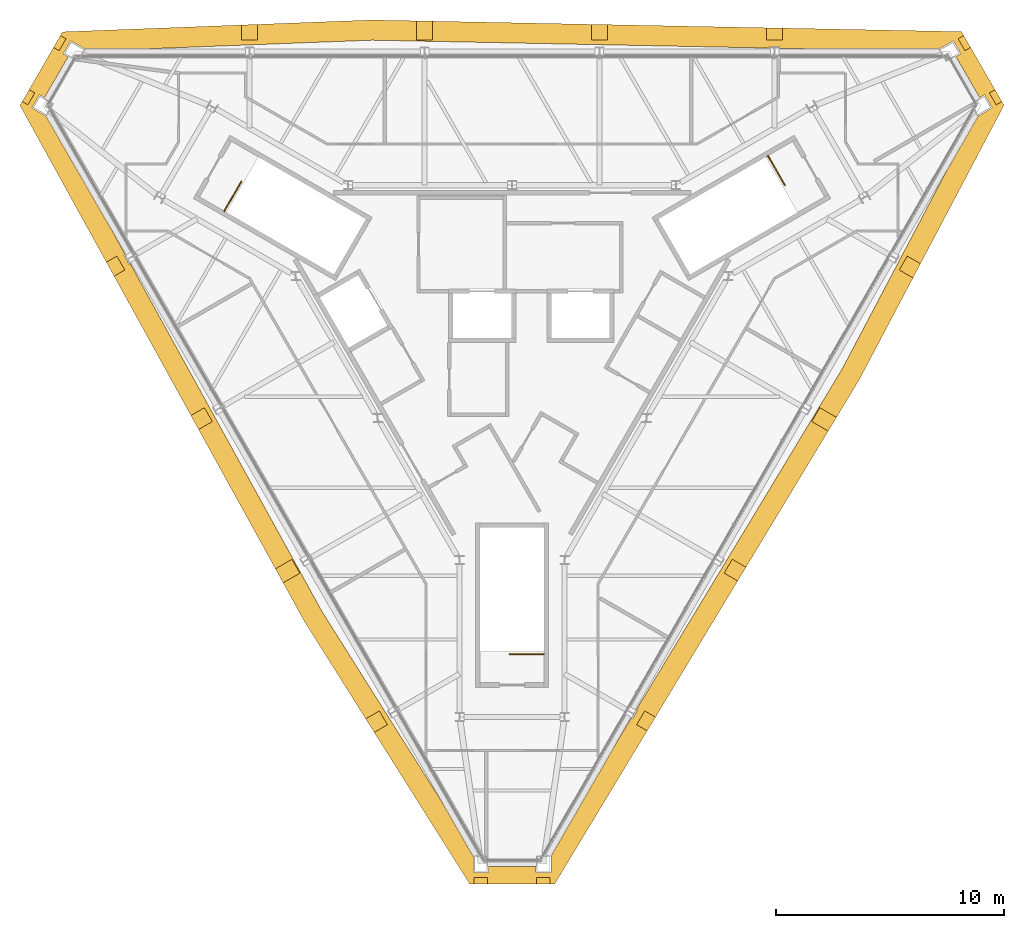
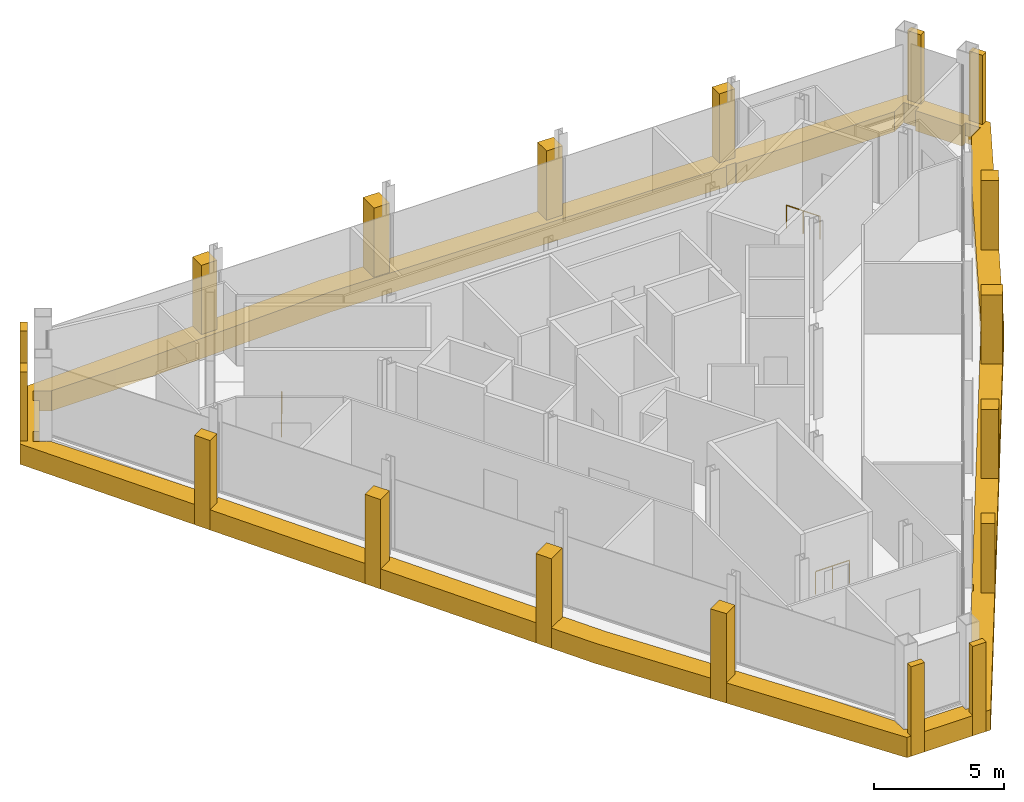
# One storey, part 11 of 11: 19 coverings, 3 railings.
"""IFC4 building model written with IfcOpenShell, lengths in metres."""

from ifc_helpers import new_model, si_unit, direction, frame, origin, origin_2d, place, context, subcontext, project, spatial, polyline, circle, outline, extrude, material, layer, layer_set, type_object, element, save


model = new_model("IFC4")

# Units and contexts
model_context = context("Model", 3, precision=1e-05, world=origin(), true_north=direction((0.0, 1.0)))
body_context = subcontext(model_context, "Body", "Model", "MODEL_VIEW")
ifc_project = project(units=[si_unit("LENGTHUNIT", "METRE"), si_unit("AREAUNIT", "SQUARE_METRE"), si_unit("VOLUMEUNIT", "CUBIC_METRE"), si_unit("PLANEANGLEUNIT", "RADIAN"), si_unit("MASSUNIT", "GRAM", prefix="KILO")], contexts=[model_context])

# Site, building, storey
site_placement = place(None, origin())
site = spatial("IfcSite", under=ifc_project, at=site_placement, CompositionType="ELEMENT")
building_placement = place(site_placement, origin())
building = spatial("IfcBuilding", under=site, at=building_placement, Name="Verrane Prism Tower", CompositionType="ELEMENT")
storey_placement = place(building_placement, frame((0.0, 0.0, 329.39990234375)))
storey = spatial("IfcBuildingStorey", under=building, at=storey_placement, Name="L83", CompositionType="ELEMENT", Elevation=329.39990234375)

# Railings
ifc_material_1 = material(Name="Steel A36 rail and posts, no infill", Category="steel")
railing_type = type_object("IfcRailingType", Name="Stair guard 1100 steel rail and posts", PredefinedType="GUARDRAIL", material=ifc_material_1)
railing_1_placement = place(storey_placement, frame((11.207763671875, 8.08740234375, 0.0)))
element("IfcRailing", 1, at=railing_1_placement, inside=storey, type_object=railing_type, Name="Stair 1 top floor guard", PredefinedType="GUARDRAIL", context=body_context, shape_type="SweptSolid", body=[
    extrude(circle(Radius=0.02392578125, at=origin_2d()), frame((0.0, 0.0, 1.076171875), z_axis=(0.499990139034, -0.866031096941, 0.0), x_axis=(0.866031096941, 0.499990139034, 0.0)), (0.0, 0.0, 1.0), 1.5),
    extrude(circle(Radius=0.02099609375, at=origin_2d()), origin(), (0.0, 0.0, 1.0), 1.052001953125),
    extrude(circle(Radius=0.02099609375, at=origin_2d()), frame((0.375, -0.6494140625, 0.0)), (0.0, 0.0, 1.0), 1.052001953125),
    extrude(circle(Radius=0.02099609375, at=origin_2d()), frame((0.75, -1.299072265625, 0.0)), (0.0, 0.0, 1.0), 1.052001953125),
])
railing_2_placement = place(storey_placement, frame((-12.60791015625, 5.66259765625, 0.0)))
element("IfcRailing", 2, at=railing_2_placement, inside=storey, type_object=railing_type, Name="Stair 2 top floor guard", PredefinedType="GUARDRAIL", context=body_context, shape_type="SweptSolid", body=[
    extrude(circle(Radius=0.02392578125, at=origin_2d()), frame((0.0, 0.0, 1.076171875), z_axis=(0.499990139034, 0.866031096941, 0.0), x_axis=(-0.866031096941, 0.499990139034, 0.0)), (0.0, 0.0, 1.0), 1.5),
    extrude(circle(Radius=0.02099609375, at=origin_2d()), origin(), (0.0, 0.0, 1.0), 1.052001953125),
    extrude(circle(Radius=0.02099609375, at=origin_2d()), frame((0.375, 0.6494140625, 0.0)), (0.0, 0.0, 1.0), 1.052001953125),
    extrude(circle(Radius=0.02099609375, at=origin_2d()), frame((0.75, 1.299072265625, 0.0)), (0.0, 0.0, 1.0), 1.052001953125),
])
railing_3_placement = place(storey_placement, frame((1.39990234375, -13.75, 0.0)))
element("IfcRailing", 3, at=railing_3_placement, inside=storey, type_object=railing_type, Name="Stair 3 top floor guard", PredefinedType="GUARDRAIL", context=body_context, shape_type="SweptSolid", body=[
    extrude(circle(Radius=0.02392578125, at=origin_2d()), frame((0.0, 0.0, 1.076171875), z_axis=(-1.0, 0.0, 0.0), x_axis=(0.0, -1.0, 0.0)), (0.0, 0.0, 1.0), 1.5),
    extrude(circle(Radius=0.02099609375, at=origin_2d()), origin(), (0.0, 0.0, 1.0), 1.052001953125),
    extrude(circle(Radius=0.02099609375, at=origin_2d()), frame((-0.75, 0.0, 0.0)), (0.0, 0.0, 1.0), 1.052001953125),
    extrude(circle(Radius=0.02099609375, at=origin_2d()), frame((-1.5, 0.0, 0.0)), (0.0, 0.0, 1.0), 1.052001953125),
])

# Coverings
ifc_material_2 = material(Name="Warm limestone cladding", Category="masonry")
covering_type_1 = type_object("IfcCoveringType", Name="Stone corner pier 600", PredefinedType="CLADDING", material=ifc_material_2)
covering_1_placement = place(storey_placement, frame((0.0, 0.0, -0.949951171875)))
element("IfcCovering", 4, at=covering_1_placement, inside=storey, type_object=covering_type_1, Name="Stone pier MC-NE.a L83", PredefinedType="CLADDING", context=body_context, shape_type="SweptSolid", body=[
    extrude(outline(polyline([(20.910888671875, 10.838623046875), (21.06103515625, 10.578857421875), (21.2109375, 10.319091796875), (21.457763671875, 10.46142578125), (21.15771484375, 10.98095703125), (20.910888671875, 10.838623046875)])), origin(), (0.0, 0.0, 1.0), 4.199951171875),
])
covering_2_placement = place(storey_placement, frame((0.0, 0.0, -0.949951171875)))
element("IfcCovering", 5, at=covering_2_placement, inside=storey, type_object=covering_type_1, Name="Stone pier MC-NE.b L83", PredefinedType="CLADDING", context=body_context, shape_type="SweptSolid", body=[
    extrude(outline(polyline([(19.5419921875, 13.209716796875), (19.5576171875, 13.182861328125), (19.842041015625, 12.690185546875), (20.088623046875, 12.83251953125), (19.788818359375, 13.352294921875), (19.5419921875, 13.209716796875)])), origin(), (0.0, 0.0, 1.0), 4.199951171875),
])
covering_3_placement = place(storey_placement, frame((0.0, 0.0, -0.949951171875)))
element("IfcCovering", 6, at=covering_3_placement, inside=storey, type_object=covering_type_1, Name="Stone pier MC-NW.a L83", PredefinedType="CLADDING", context=body_context, shape_type="SweptSolid", body=[
    extrude(outline(polyline([(-19.842041015625, 12.690185546875), (-19.5419921875, 13.209716796875), (-19.788818359375, 13.352294921875), (-20.088623046875, 12.83251953125), (-19.842041015625, 12.690185546875)])), origin(), (0.0, 0.0, 1.0), 4.199951171875),
])
covering_4_placement = place(storey_placement, frame((0.0, 0.0, -0.949951171875)))
element("IfcCovering", 7, at=covering_4_placement, inside=storey, type_object=covering_type_1, Name="Stone pier MC-NW.b L83", PredefinedType="CLADDING", context=body_context, shape_type="SweptSolid", body=[
    extrude(outline(polyline([(-21.2109375, 10.319091796875), (-20.910888671875, 10.838623046875), (-21.15771484375, 10.98095703125), (-21.457763671875, 10.46142578125), (-21.2109375, 10.319091796875)])), origin(), (0.0, 0.0, 1.0), 4.199951171875),
])
covering_5_placement = place(storey_placement, frame((0.0, 0.0, -0.949951171875)))
element("IfcCovering", 8, at=covering_5_placement, inside=storey, type_object=covering_type_1, Name="Stone pier MC-S.a L83", PredefinedType="CLADDING", context=body_context, shape_type="SweptSolid", body=[
    extrude(outline(polyline([(-1.069091796875, -23.52880859375), (-1.6689453125, -23.52880859375), (-1.6689453125, -23.813720703125), (-1.069091796875, -23.813720703125), (-1.069091796875, -23.52880859375)])), origin(), (0.0, 0.0, 1.0), 4.199951171875),
])
covering_6_placement = place(storey_placement, frame((0.0, 0.0, -0.949951171875)))
element("IfcCovering", 9, at=covering_6_placement, inside=storey, type_object=covering_type_1, Name="Stone pier MC-S.b L83", PredefinedType="CLADDING", context=body_context, shape_type="SweptSolid", body=[
    extrude(outline(polyline([(1.6689453125, -23.52880859375), (1.069091796875, -23.52880859375), (1.069091796875, -23.813720703125), (1.6689453125, -23.813720703125), (1.6689453125, -23.52880859375)])), origin(), (0.0, 0.0, 1.0), 4.199951171875),
])
ifc_material_3 = material(Name="Warm limestone cladding", Category="masonry")
covering_type_2 = type_object("IfcCoveringType", Name="Stone pier 700", PredefinedType="CLADDING", material=ifc_material_3)
covering_7_placement = place(storey_placement, frame((0.0, 0.0, -0.949951171875)))
element("IfcCovering", 10, at=covering_7_placement, inside=storey, type_object=covering_type_2, Name="Stone pier PC-N1 L83", PredefinedType="CLADDING", context=body_context, shape_type="SweptSolid", body=[
    extrude(outline(polyline([(11.1533203125, 13.14990234375), (11.853515625, 13.14990234375), (11.853515625, 13.6796875), (11.1533203125, 13.693359375), (11.1533203125, 13.14990234375)])), origin(), (0.0, 0.0, 1.0), 4.199951171875),
])
covering_8_placement = place(storey_placement, frame((0.0, 0.0, -0.949951171875)))
element("IfcCovering", 11, at=covering_8_placement, inside=storey, type_object=covering_type_2, Name="Stone pier PC-N2 L83", PredefinedType="CLADDING", context=body_context, shape_type="SweptSolid", body=[
    extrude(outline(polyline([(3.484619140625, 13.14990234375), (4.1845703125, 13.14990234375), (4.1845703125, 13.8310546875), (3.484619140625, 13.844970703125), (3.484619140625, 13.14990234375)])), origin(), (0.0, 0.0, 1.0), 4.199951171875),
])
covering_9_placement = place(storey_placement, frame((0.0, 0.0, -0.949951171875)))
element("IfcCovering", 12, at=covering_9_placement, inside=storey, type_object=covering_type_2, Name="Stone pier PC-N3 L83", PredefinedType="CLADDING", context=body_context, shape_type="SweptSolid", body=[
    extrude(outline(polyline([(-4.1845703125, 13.14990234375), (-3.484619140625, 13.14990234375), (-3.484619140625, 13.982666015625), (-4.1845703125, 13.996337890625), (-4.1845703125, 13.14990234375)])), origin(), (0.0, 0.0, 1.0), 4.199951171875),
])
covering_10_placement = place(storey_placement, frame((0.0, 0.0, -0.949951171875)))
element("IfcCovering", 13, at=covering_10_placement, inside=storey, type_object=covering_type_2, Name="Stone pier PC-N4 L83", PredefinedType="CLADDING", context=body_context, shape_type="SweptSolid", body=[
    extrude(outline(polyline([(-11.853515625, 13.14990234375), (-11.1533203125, 13.14990234375), (-11.1533203125, 13.843017578125), (-11.853515625, 13.816162109375), (-11.853515625, 13.14990234375)])), origin(), (0.0, 0.0, 1.0), 4.199951171875),
])
covering_11_placement = place(storey_placement, frame((0.0, 0.0, -0.949951171875)))
element("IfcCovering", 14, at=covering_11_placement, inside=storey, type_object=covering_type_2, Name="Stone pier PC-SW1 L83", PredefinedType="CLADDING", context=body_context, shape_type="SweptSolid", body=[
    extrude(outline(polyline([(-16.96484375, 3.084228515625), (-17.094482421875, 3.30859375), (-17.31494140625, 3.6904296875), (-17.773681640625, 3.425537109375), (-17.435546875, 2.8125), (-16.96484375, 3.084228515625)])), origin(), (0.0, 0.0, 1.0), 4.199951171875),
])
covering_12_placement = place(storey_placement, frame((0.0, 0.0, -0.949951171875)))
element("IfcCovering", 15, at=covering_12_placement, inside=storey, type_object=covering_type_2, Name="Stone pier PC-SW2 L83", PredefinedType="CLADDING", context=body_context, shape_type="SweptSolid", body=[
    extrude(outline(polyline([(-13.13037109375, -3.557373046875), (-13.279296875, -3.299560546875), (-13.48046875, -2.951171875), (-14.0703125, -3.291748046875), (-13.732421875, -3.90478515625), (-13.13037109375, -3.557373046875)])), origin(), (0.0, 0.0, 1.0), 4.199951171875),
])
covering_13_placement = place(storey_placement, frame((0.0, 0.0, -0.949951171875)))
element("IfcCovering", 16, at=covering_13_placement, inside=storey, type_object=covering_type_2, Name="Stone pier PC-SW3 L83", PredefinedType="CLADDING", context=body_context, shape_type="SweptSolid", body=[
    extrude(outline(polyline([(-9.2958984375, -10.198974609375), (-9.470947265625, -9.895751953125), (-9.64599609375, -9.5927734375), (-10.366943359375, -10.009033203125), (-10.029052734375, -10.6220703125), (-9.2958984375, -10.198974609375)])), origin(), (0.0, 0.0, 1.0), 4.199951171875),
])
covering_14_placement = place(storey_placement, frame((0.0, 0.0, -0.949951171875)))
element("IfcCovering", 17, at=covering_14_placement, inside=storey, type_object=covering_type_2, Name="Stone pier PC-SW4 L83", PredefinedType="CLADDING", context=body_context, shape_type="SweptSolid", body=[
    extrude(outline(polyline([(-5.46142578125, -16.84033203125), (-5.8115234375, -16.234130859375), (-6.41162109375, -16.580810546875), (-6.038330078125, -17.173583984375), (-5.46142578125, -16.84033203125)])), origin(), (0.0, 0.0, 1.0), 4.199951171875),
])
covering_15_placement = place(storey_placement, frame((0.0, 0.0, -0.949951171875)))
element("IfcCovering", 18, at=covering_15_placement, inside=storey, type_object=covering_type_2, Name="Stone pier PC-SE1 L83", PredefinedType="CLADDING", context=body_context, shape_type="SweptSolid", body=[
    extrude(outline(polyline([(5.8115234375, -16.234130859375), (5.710205078125, -16.409912109375), (5.46142578125, -16.84033203125), (5.920166015625, -17.105224609375), (6.281982421875, -16.505859375), (5.8115234375, -16.234130859375)])), origin(), (0.0, 0.0, 1.0), 4.199951171875),
])
covering_16_placement = place(storey_placement, frame((0.0, 0.0, -0.949951171875)))
element("IfcCovering", 19, at=covering_16_placement, inside=storey, type_object=covering_type_2, Name="Stone pier PC-SE2 L83", PredefinedType="CLADDING", context=body_context, shape_type="SweptSolid", body=[
    extrude(outline(polyline([(9.64599609375, -9.5927734375), (9.2958984375, -10.198974609375), (9.8857421875, -10.539306640625), (10.247802734375, -9.940185546875), (9.64599609375, -9.5927734375)])), origin(), (0.0, 0.0, 1.0), 4.199951171875),
])
covering_17_placement = place(storey_placement, frame((0.0, 0.0, -0.949951171875)))
element("IfcCovering", 20, at=covering_17_placement, inside=storey, type_object=covering_type_2, Name="Stone pier PC-SE3 L83", PredefinedType="CLADDING", context=body_context, shape_type="SweptSolid", body=[
    extrude(outline(polyline([(13.48046875, -2.951171875), (13.13037109375, -3.557373046875), (13.8515625, -3.9736328125), (14.21337890625, -3.374267578125), (13.48046875, -2.951171875)])), origin(), (0.0, 0.0, 1.0), 4.199951171875),
])
covering_18_placement = place(storey_placement, frame((0.0, 0.0, -0.949951171875)))
element("IfcCovering", 21, at=covering_18_placement, inside=storey, type_object=covering_type_2, Name="Stone pier PC-SE4 L83", PredefinedType="CLADDING", context=body_context, shape_type="SweptSolid", body=[
    extrude(outline(polyline([(17.31494140625, 3.6904296875), (16.96484375, 3.084228515625), (17.565185546875, 2.73779296875), (17.891845703125, 3.357421875), (17.31494140625, 3.6904296875)])), origin(), (0.0, 0.0, 1.0), 4.199951171875),
])
ifc_material_4 = material(Name="Warm limestone cladding", Category="masonry")
ifc_layer = layer(ifc_material_4, 0.449951171875)
ifc_layer_set = layer_set([ifc_layer], Name="Stone spandrel band 450")
covering_type_3 = type_object("IfcCoveringType", Name="Stone spandrel band 450", PredefinedType="CLADDING", material=ifc_layer_set)
covering_19_placement = place(storey_placement, frame((0.0, 0.0, -0.949951171875)))
element("IfcCovering", 22, at=covering_19_placement, inside=storey, type_object=covering_type_3, Name="Stone spandrel band L83", PredefinedType="CLADDING", context=body_context, shape_type="SweptSolid", body=[
    extrude(outline(polyline([(1.868408203125, -23.813720703125), (5.920166015625, -17.105224609375), (5.46142578125, -16.84033203125), (5.8115234375, -16.234130859375), (6.281982421875, -16.505859375), (9.8857421875, -10.539306640625), (9.2958984375, -10.198974609375), (9.64599609375, -9.5927734375), (10.247802734375, -9.940185546875), (13.8515625, -3.9736328125), (13.13037109375, -3.557373046875), (13.48046875, -2.951171875), (14.21337890625, -3.374267578125), (15.2265625, -1.697265625), (17.565185546875, 2.73779296875), (16.96484375, 3.084228515625), (17.31494140625, 3.6904296875), (17.891845703125, 3.357421875), (21.552001953125, 10.298095703125), (21.457763671875, 10.46142578125), (21.2109375, 10.319091796875), (20.910888671875, 10.838623046875), (21.15771484375, 10.98095703125), (20.088623046875, 12.83251953125), (19.842041015625, 12.690185546875), (19.5419921875, 13.209716796875), (19.788818359375, 13.352294921875), (19.68896484375, 13.52490234375), (11.853515625, 13.6796875), (11.853515625, 13.14990234375), (11.1533203125, 13.14990234375), (11.1533203125, 13.693359375), (4.1845703125, 13.8310546875), (4.1845703125, 13.14990234375), (3.484619140625, 13.14990234375), (3.484619140625, 13.844970703125), (-3.484619140625, 13.982666015625), (-3.484619140625, 13.14990234375), (-4.1845703125, 13.14990234375), (-4.1845703125, 13.996337890625), (-6.143310546875, 14.03515625), (-11.1533203125, 13.843017578125), (-11.1533203125, 13.14990234375), (-11.853515625, 13.14990234375), (-11.853515625, 13.816162109375), (-19.6943359375, 13.515380859375), (-19.788818359375, 13.352294921875), (-19.5419921875, 13.209716796875), (-19.842041015625, 12.690185546875), (-20.088623046875, 12.83251953125), (-21.15771484375, 10.98095703125), (-20.910888671875, 10.838623046875), (-21.2109375, 10.319091796875), (-21.457763671875, 10.46142578125), (-21.557373046875, 10.288818359375), (-17.773681640625, 3.425537109375), (-17.31494140625, 3.6904296875), (-16.96484375, 3.084228515625), (-17.435546875, 2.8125), (-14.0703125, -3.291748046875), (-13.48046875, -2.951171875), (-13.13037109375, -3.557373046875), (-13.732421875, -3.90478515625), (-10.366943359375, -10.009033203125), (-9.64599609375, -9.5927734375), (-9.2958984375, -10.198974609375), (-10.029052734375, -10.6220703125), (-9.0830078125, -12.337890625), (-6.41162109375, -16.580810546875), (-5.8115234375, -16.234130859375), (-5.46142578125, -16.84033203125), (-6.038330078125, -17.173583984375), (-1.857421875, -23.813720703125), (-1.6689453125, -23.813720703125), (-1.6689453125, -23.52880859375), (-1.069091796875, -23.52880859375), (-1.069091796875, -23.813720703125), (1.069091796875, -23.813720703125), (1.069091796875, -23.52880859375), (1.6689453125, -23.52880859375), (1.6689453125, -23.813720703125), (1.868408203125, -23.813720703125)]), holes=[polyline([(4.693115234375, -17.425537109375), (1.699951171875, -22.609619140625), (1.699951171875, -23.31005859375), (1.0400390625, -23.31005859375), (1.0400390625, -23.055908203125), (-1.0400390625, -23.055908203125), (-1.0400390625, -23.31005859375), (-1.699951171875, -23.31005859375), (-1.699951171875, -22.609619140625), (-3.134765625, -20.124267578125), (-8.320556640625, -11.88818359375), (-16.7353515625, 3.375), (-16.787109375, 3.34521484375), (-17.00390625, 3.720703125), (-16.944580078125, 3.754638671875), (-17.43701171875, 4.64794921875), (-20.43310546875, 9.837158203125), (-21.0341796875, 10.18408203125), (-20.7041015625, 10.755859375), (-20.485595703125, 10.629638671875), (-19.44677734375, 12.4287109375), (-19.6640625, 12.55419921875), (-19.333984375, 13.125732421875), (-18.72998046875, 12.777099609375), (-15.861083984375, 12.777099609375), (-6.13525390625, 13.14990234375), (11.283203125, 12.805908203125), (11.283203125, 12.8642578125), (11.716796875, 12.8642578125), (11.716796875, 12.79736328125), (12.744384765625, 12.777099609375), (18.72998046875, 12.777099609375), (19.333984375, 13.125732421875), (19.6640625, 12.55419921875), (19.44677734375, 12.4287109375), (20.485595703125, 10.629638671875), (20.7041015625, 10.755859375), (21.0341796875, 10.18408203125), (20.43310546875, 9.837158203125), (18.99560546875, 7.34765625), (14.455810546875, -1.26171875), (5.444580078125, -16.180908203125), (5.493896484375, -16.20947265625), (5.277099609375, -16.584716796875), (5.220458984375, -16.552001953125), (4.693115234375, -17.425537109375)])]), origin(), (0.0, 0.0, 1.0), 0.949951171875),
])

save(model, "model.ifc")
